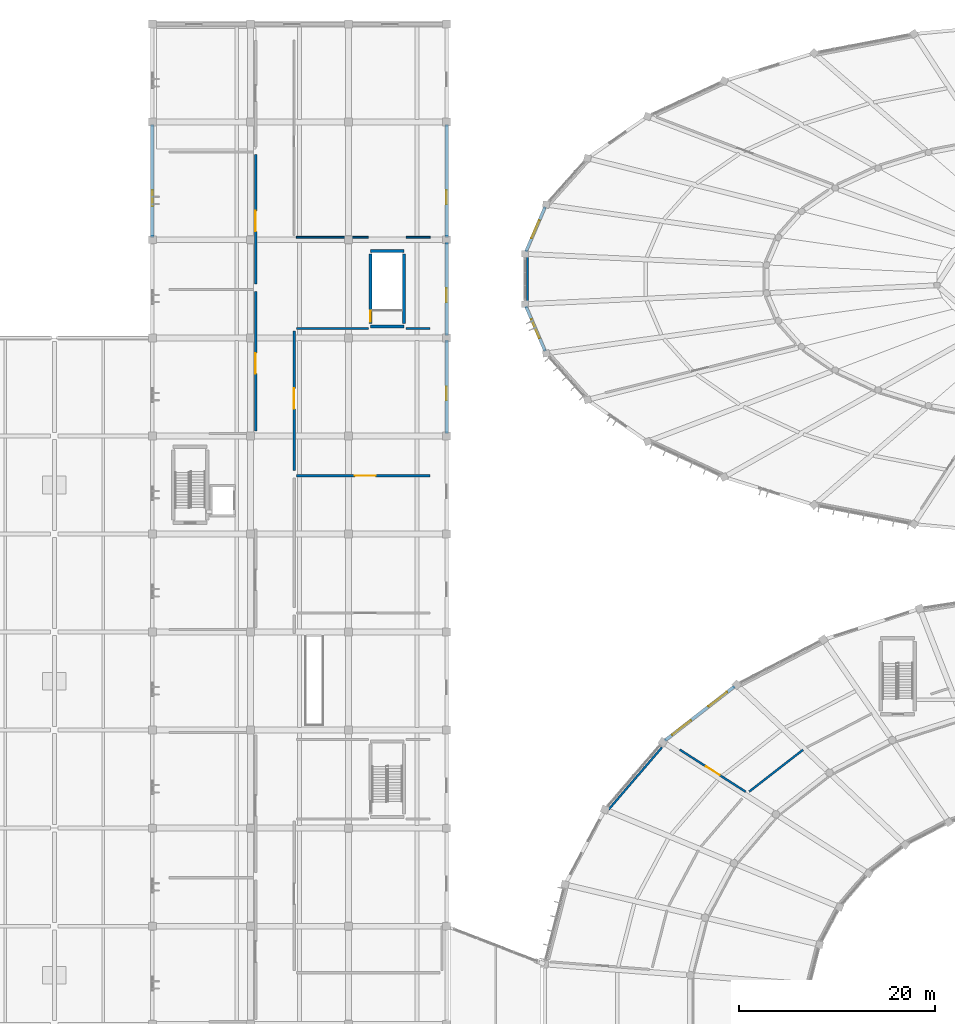
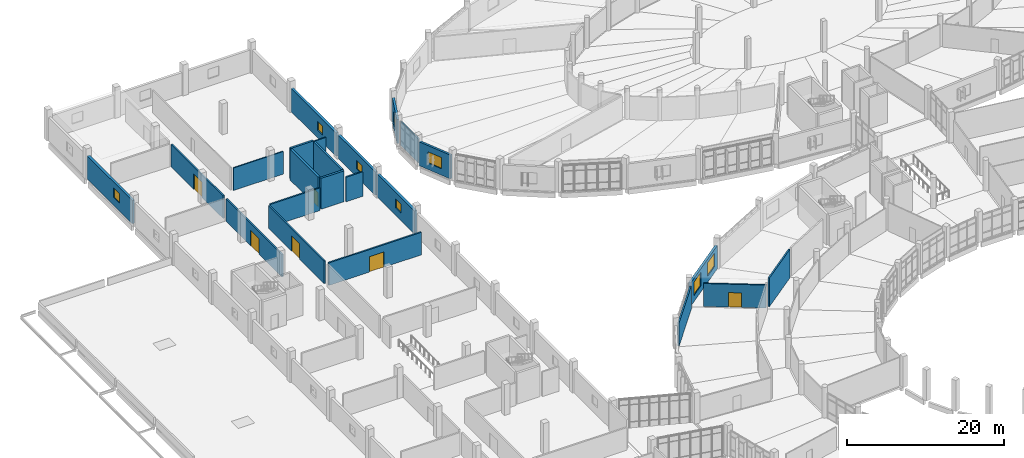
# One storey, part 119 of 179: 23 walls, 8 windows, 6 doors, 14 openings.
"""IFC4 building model written with IfcOpenShell, lengths in metres."""

from ifc_helpers import new_model, si_unit, direction, frame, frame_2d, origin, place, context, subcontext, project, spatial, rectangle, extrude, material, layer, layer_set, type_object, element, fill, save


model = new_model("IFC4")

# Units and contexts
model_context = context("Model", 3, precision=1e-05, world=origin(), true_north=direction((0.0, 1.0)))
body_context = subcontext(model_context, "Body", "Model", "MODEL_VIEW")
ifc_project = project(units=[si_unit("LENGTHUNIT", "METRE"), si_unit("AREAUNIT", "SQUARE_METRE"), si_unit("VOLUMEUNIT", "CUBIC_METRE"), si_unit("PLANEANGLEUNIT", "RADIAN"), si_unit("MASSUNIT", "GRAM", prefix="KILO")], contexts=[model_context])

# Site, building, storey
site_placement = place(None, origin())
site = spatial("IfcSite", under=ifc_project, at=site_placement, CompositionType="ELEMENT")
building_placement = place(site_placement, origin())
building = spatial("IfcBuilding", under=site, at=building_placement, Name="Corvandel Quay Wholesale Market", CompositionType="ELEMENT")
storey_placement = place(building_placement, frame((0.0, 0.0, 6.0)))
storey = spatial("IfcBuildingStorey", under=building, at=storey_placement, Name="L01", CompositionType="ELEMENT", Elevation=6.0)

# Wall
ifc_material_1 = material(Name="Gypsum-clad steel stud framing", Category="steel")
ifc_layer_1 = layer(ifc_material_1, 0.2099609375)
ifc_layer_set_1 = layer_set([ifc_layer_1], Name="Gypsum-clad steel stud framing")
wall_type_1 = type_object("IfcWallType", Name="Corridor Rated Partition PT02 210", PredefinedType="PARTITIONING", material=ifc_layer_set_1)
wall_1_placement = place(storey_placement, frame((86.354248046875, 67.9970703125, 0.0), z_axis=(0.0, 0.0, 1.0), x_axis=(-0.78951287066, -0.613734003508, 0.0)))
element("IfcWall", 1, at=wall_1_placement, inside=storey, type_object=wall_type_1, Name="Interior Wall IW-0458", PredefinedType="PARTITIONING", context=body_context, shape_type="SweptSolid", body=[
    extrude(rectangle(XDim=6.954345703125, YDim=0.2099609375, at=frame_2d((3.47705078125, 0.0))), origin(), (0.0, 0.0, 1.0), 4.4599609375),
])

# Wall, opening, door
wall_2_placement = place(storey_placement, frame((80.504638671875, 63.71240234375, 0.0), z_axis=(0.0, 0.0, 1.0), x_axis=(-0.842936957838, 0.538012346616, 0.0)))
wall_2 = element("IfcWall", 2, at=wall_2_placement, inside=storey, type_object=wall_type_1, Name="Interior Wall IW-0459", PredefinedType="PARTITIONING", context=body_context, shape_type="SweptSolid", body=[
    extrude(rectangle(XDim=7.986572265625, YDim=0.2099609375, at=frame_2d((3.9931640625, 0.0))), origin(), (0.0, 0.0, 1.0), 3.56005859375),
])
opening_1_placement = place(wall_2_placement, frame((3.14306640625, 0.0, 0.0)))
opening_1 = element("IfcOpeningElement", 3, at=opening_1_placement, cuts=wall_2, Name="Opening L01-D033", PredefinedType="OPENING", context=body_context, shape_type="SweptSolid", body=[
    extrude(rectangle(XDim=1.64990234375, YDim=2.25, at=frame_2d((0.824951171875, 1.125))), frame((0.0, 0.114990234375, 0.0), z_axis=(0.0, -1.0, 0.0), x_axis=(1.0, 0.0, 0.0)), (0.0, 0.0, 1.0), 0.22998046875),
])
ifc_material_2 = material(Name="HPL-faced hygienic timber core", Category="wood")
door_type_1 = type_object("IfcDoorType", Name="Laboratory Double Door ID08 1650x2250", OperationType="DOUBLE_DOOR_SINGLE_SWING", PredefinedType="DOOR", material=ifc_material_2)
door_1_placement = place(opening_1_placement, origin())
door_1 = element("IfcDoor", 4, at=door_1_placement, inside=storey, type_object=door_type_1, Name="Produce Quality Control Laboratory Door", OperationType="DOUBLE_DOOR_SINGLE_SWING", OverallHeight=2.25, OverallWidth=1.64990234375, PredefinedType="DOOR", context=body_context, shape_type="SweptSolid", body=[
    extrude(rectangle(XDim=1.64990234375, YDim=2.25, at=frame_2d((0.824951171875, 1.125))), frame((0.0, 0.02490234375, 0.0), z_axis=(0.0, -1.0, 0.0), x_axis=(1.0, 0.0, 0.0)), (0.0, 0.0, 1.0), 0.050048828125),
])
fill(opening_1, door_1)

# Walls
wall_3_placement = place(storey_placement, frame((66.522216796875, 61.90185546875, 0.0), z_axis=(0.0, 0.0, 1.0), x_axis=(0.651602047287, 0.758560987641, 0.0)))
element("IfcWall", 5, at=wall_3_placement, inside=storey, type_object=wall_type_1, Name="Interior Wall IW-0461", PredefinedType="PARTITIONING", context=body_context, shape_type="SweptSolid", body=[
    extrude(rectangle(XDim=8.354248046875, YDim=0.2099609375, at=frame_2d((4.17724609375, 0.0))), origin(), (0.0, 0.0, 1.0), 3.610107421875),
])
wall_4_placement = place(storey_placement, frame((58.260009765625, 113.7119140625, 0.0), z_axis=(0.0, 0.0, 1.0), x_axis=(0.0, 1.0, 0.0)))
element("IfcWall", 6, at=wall_4_placement, inside=storey, type_object=wall_type_1, Name="Interior Wall IW-0633", PredefinedType="PARTITIONING", context=body_context, shape_type="SweptSolid", body=[
    extrude(rectangle(XDim=4.576171875, YDim=0.2099609375, at=frame_2d((2.2880859375, 0.0))), origin(), (0.0, 0.0, 1.0), 3.7099609375),
])

# Wall, opening, window
ifc_material_3 = material(Name="Marine precast concrete C45/55", Category="concrete")
ifc_layer_2 = layer(ifc_material_3, 0.31005859375)
ifc_layer_set_2 = layer_set([ifc_layer_2], Name="Marine precast concrete C45/55")
wall_type_2 = type_object("IfcWallType", Name="Fish Hall Marine Precast Wall EW06 310", PredefinedType="SOLIDWALL", material=ifc_layer_set_2)
wall_5_placement = place(storey_placement, frame((60.0576171875, 123.36328125, 0.0), z_axis=(0.0, 0.0, 1.0), x_axis=(-0.393836540118, -0.91918049352, 0.0)))
wall_5 = element("IfcWall", 7, at=wall_5_placement, inside=storey, type_object=wall_type_2, Name="Exterior Wall EW-0119", PredefinedType="SOLIDWALL", context=body_context, shape_type="SweptSolid", body=[
    extrude(rectangle(XDim=4.984619140625, YDim=0.31005859375, at=frame_2d((2.4921875, 0.0))), origin(), (0.0, 0.0, 1.0), 3.7099609375),
])
opening_2_placement = place(wall_5_placement, frame((1.491943359375, 0.0, 1.0)))
opening_2 = element("IfcOpeningElement", 8, at=opening_2_placement, cuts=wall_5, Name="Opening L01-W036", PredefinedType="OPENING", context=body_context, shape_type="SweptSolid", body=[
    extrude(rectangle(XDim=2.0, YDim=1.64990234375, at=frame_2d((1.0, 0.824951171875))), frame((0.0, 0.1650390625, 0.0), z_axis=(0.0, -1.0, 0.0), x_axis=(1.0, 0.0, 0.0)), (0.0, 0.0, 1.0), 0.330078125),
])
ifc_material_4 = material(Name="Thermally broken bronze anodised aluminium and solar-control low-E double glazing", Category="aluminium")
window_type_1 = type_object("IfcWindowType", Name="Phytosanitary Lab Window WN08 2000x1650", PartitioningType="SINGLE_PANEL", PredefinedType="WINDOW", material=ifc_material_4)
window_1_placement = place(opening_2_placement, origin())
window_1 = element("IfcWindow", 9, at=window_1_placement, inside=storey, type_object=window_type_1, Name="Window L01-W036", OverallHeight=1.64990234375, OverallWidth=2.0, PartitioningType="SINGLE_PANEL", PredefinedType="WINDOW", context=body_context, shape_type="SweptSolid", body=[
    extrude(rectangle(XDim=2.0, YDim=1.64990234375, at=frame_2d((1.0, 0.824951171875))), frame((0.0, 0.030029296875, 0.0), z_axis=(0.0, -1.0, 0.0), x_axis=(1.0, 0.0, 0.0)), (0.0, 0.0, 1.0), 0.06005859375),
])
fill(opening_2, window_1)

wall_6_placement = place(storey_placement, frame((58.094482421875, 113.218505859375, 0.0), z_axis=(0.0, 0.0, 1.0), x_axis=(0.393836540118, -0.91918049352, 0.0)))
wall_6 = element("IfcWall", 10, at=wall_6_placement, inside=storey, type_object=wall_type_2, Name="Exterior Wall EW-0124", PredefinedType="SOLIDWALL", context=body_context, shape_type="SweptSolid", body=[
    extrude(rectangle(XDim=4.984619140625, YDim=0.31005859375, at=frame_2d((2.4921875, 0.0))), origin(), (0.0, 0.0, 1.0), 3.7099609375),
])
opening_3_placement = place(wall_6_placement, frame((1.44189453125, 0.0, 1.0)))
opening_3 = element("IfcOpeningElement", 11, at=opening_3_placement, cuts=wall_6, Name="Opening L01-W037", PredefinedType="OPENING", context=body_context, shape_type="SweptSolid", body=[
    extrude(rectangle(XDim=2.10009765625, YDim=1.75, at=frame_2d((1.050048828125, 0.875))), frame((0.0, 0.1650390625, 0.0), z_axis=(0.0, -1.0, 0.0), x_axis=(1.0, 0.0, 0.0)), (0.0, 0.0, 1.0), 0.330078125),
])
window_type_2 = type_object("IfcWindowType", Name="Seafood Traders Window WN09 2100x1750", PartitioningType="SINGLE_PANEL", PredefinedType="WINDOW", material=ifc_material_4)
window_2_placement = place(opening_3_placement, origin())
window_2 = element("IfcWindow", 12, at=window_2_placement, inside=storey, type_object=window_type_2, Name="Window L01-W037", OverallHeight=1.75, OverallWidth=2.10009765625, PartitioningType="SINGLE_PANEL", PredefinedType="WINDOW", context=body_context, shape_type="SweptSolid", body=[
    extrude(rectangle(XDim=2.10009765625, YDim=1.75, at=frame_2d((1.050048828125, 0.875))), frame((0.0, 0.030029296875, 0.0), z_axis=(0.0, -1.0, 0.0), x_axis=(1.0, 0.0, 0.0)), (0.0, 0.0, 1.0), 0.06005859375),
])
fill(opening_3, window_2)

ifc_material_5 = material(Name="Insulated precast concrete C45/55", Category="concrete")
ifc_layer_3 = layer(ifc_material_5, 0.360107421875)
ifc_layer_set_3 = layer_set([ifc_layer_3], Name="Insulated precast concrete C45/55")
wall_type_3 = type_object("IfcWallType", Name="Ripening Gas-Tight Envelope Wall EW04 360", PredefinedType="SOLIDWALL", material=ifc_layer_set_3)
wall_7_placement = place(storey_placement, frame((50.0, 100.239990234375, 0.0), z_axis=(0.0, 0.0, 1.0), x_axis=(0.0, 1.0, 0.0)))
wall_7 = element("IfcWall", 13, at=wall_7_placement, inside=storey, type_object=wall_type_3, Name="Exterior Wall EW-0287", PredefinedType="SOLIDWALL", context=body_context, shape_type="SweptSolid", body=[
    extrude(rectangle(XDim=9.52001953125, YDim=0.360107421875, at=frame_2d((4.760009765625, 0.0))), origin(), (0.0, 0.0, 1.0), 3.610107421875),
])
opening_4_placement = place(wall_7_placement, frame((3.39990234375, 0.0, 1.199951171875)))
opening_4 = element("IfcOpeningElement", 14, at=opening_4_placement, cuts=wall_7, Name="Opening L01-W069", PredefinedType="OPENING", context=body_context, shape_type="SweptSolid", body=[
    extrude(rectangle(XDim=1.39990234375, YDim=1.35009765625, at=frame_2d((0.699951171875, 0.675048828125))), frame((0.0, 0.18994140625, 0.0), z_axis=(0.0, -1.0, 0.0), x_axis=(1.0, 0.0, 0.0)), (0.0, 0.0, 1.0), 0.380126953125),
])
window_type_3 = type_object("IfcWindowType", Name="Ripening Control Vision Window WN15 1400x1350", PartitioningType="SINGLE_PANEL", PredefinedType="WINDOW", material=ifc_material_4)
window_3_placement = place(opening_4_placement, origin())
window_3 = element("IfcWindow", 15, at=window_3_placement, inside=storey, type_object=window_type_3, Name="Window L01-W069", OverallHeight=1.35009765625, OverallWidth=1.39990234375, PartitioningType="SINGLE_PANEL", PredefinedType="WINDOW", context=body_context, shape_type="SweptSolid", body=[
    extrude(rectangle(XDim=1.39990234375, YDim=1.35009765625, at=frame_2d((0.699951171875, 0.675048828125))), frame((0.0, 0.030029296875, 0.0), z_axis=(0.0, -1.0, 0.0), x_axis=(1.0, 0.0, 0.0)), (0.0, 0.0, 1.0), 0.06005859375),
])
fill(opening_4, window_3)

wall_8_placement = place(storey_placement, frame((50.0, 110.239990234375, 0.0), z_axis=(0.0, 0.0, 1.0), x_axis=(0.0, 1.0, 0.0)))
wall_8 = element("IfcWall", 16, at=wall_8_placement, inside=storey, type_object=wall_type_3, Name="Exterior Wall EW-0295", PredefinedType="SOLIDWALL", context=body_context, shape_type="SweptSolid", body=[
    extrude(rectangle(XDim=9.52001953125, YDim=0.360107421875, at=frame_2d((4.760009765625, 0.0))), origin(), (0.0, 0.0, 1.0), 3.610107421875),
])
opening_5_placement = place(wall_8_placement, frame((3.39990234375, 0.0, 1.199951171875)))
opening_5 = element("IfcOpeningElement", 17, at=opening_5_placement, cuts=wall_8, Name="Opening L01-W071", PredefinedType="OPENING", context=body_context, shape_type="SweptSolid", body=[
    extrude(rectangle(XDim=1.39990234375, YDim=1.35009765625, at=frame_2d((0.699951171875, 0.675048828125))), frame((0.0, 0.18994140625, 0.0), z_axis=(0.0, -1.0, 0.0), x_axis=(1.0, 0.0, 0.0)), (0.0, 0.0, 1.0), 0.380126953125),
])
window_4_placement = place(opening_5_placement, origin())
window_4 = element("IfcWindow", 18, at=window_4_placement, inside=storey, type_object=window_type_3, Name="Window L01-W071", OverallHeight=1.35009765625, OverallWidth=1.39990234375, PartitioningType="SINGLE_PANEL", PredefinedType="WINDOW", context=body_context, shape_type="SweptSolid", body=[
    extrude(rectangle(XDim=1.39990234375, YDim=1.35009765625, at=frame_2d((0.699951171875, 0.675048828125))), frame((0.0, 0.030029296875, 0.0), z_axis=(0.0, -1.0, 0.0), x_axis=(1.0, 0.0, 0.0)), (0.0, 0.0, 1.0), 0.06005859375),
])
fill(opening_5, window_4)

wall_9_placement = place(storey_placement, frame((20.0, 120.239990234375, 0.0), z_axis=(0.0, 0.0, 1.0), x_axis=(0.0, 1.0, 0.0)))
wall_9 = element("IfcWall", 19, at=wall_9_placement, inside=storey, type_object=wall_type_3, Name="Exterior Wall EW-0299", PredefinedType="SOLIDWALL", context=body_context, shape_type="SweptSolid", body=[
    extrude(rectangle(XDim=11.52001953125, YDim=0.360107421875, at=frame_2d((5.760009765625, 0.0))), origin(), (0.0, 0.0, 1.0), 3.610107421875),
])
opening_6_placement = place(wall_9_placement, frame((3.199951171875, 0.0, 1.199951171875)))
opening_6 = element("IfcOpeningElement", 20, at=opening_6_placement, cuts=wall_9, Name="Opening L01-W072", PredefinedType="OPENING", context=body_context, shape_type="SweptSolid", body=[
    extrude(rectangle(XDim=1.60009765625, YDim=1.5, at=frame_2d((0.800048828125, 0.75))), frame((0.0, 0.18994140625, 0.0), z_axis=(0.0, -1.0, 0.0), x_axis=(1.0, 0.0, 0.0)), (0.0, 0.0, 1.0), 0.380126953125),
])
window_type_4 = type_object("IfcWindowType", Name="Cold Chain Lab Window WN14 1600x1500", PartitioningType="SINGLE_PANEL", PredefinedType="WINDOW", material=ifc_material_4)
window_5_placement = place(opening_6_placement, origin())
window_5 = element("IfcWindow", 21, at=window_5_placement, inside=storey, type_object=window_type_4, Name="Window L01-W072", OverallHeight=1.5, OverallWidth=1.60009765625, PartitioningType="SINGLE_PANEL", PredefinedType="WINDOW", context=body_context, shape_type="SweptSolid", body=[
    extrude(rectangle(XDim=1.60009765625, YDim=1.5, at=frame_2d((0.800048828125, 0.75))), frame((0.0, 0.030029296875, 0.0), z_axis=(0.0, -1.0, 0.0), x_axis=(1.0, 0.0, 0.0)), (0.0, 0.0, 1.0), 0.06005859375),
])
fill(opening_6, window_5)

wall_10_placement = place(storey_placement, frame((50.0, 120.239990234375, 0.0), z_axis=(0.0, 0.0, 1.0), x_axis=(0.0, 1.0, 0.0)))
wall_10 = element("IfcWall", 22, at=wall_10_placement, inside=storey, type_object=wall_type_3, Name="Exterior Wall EW-0301", PredefinedType="SOLIDWALL", context=body_context, shape_type="SweptSolid", body=[
    extrude(rectangle(XDim=11.52001953125, YDim=0.360107421875, at=frame_2d((5.760009765625, 0.0))), origin(), (0.0, 0.0, 1.0), 3.610107421875),
])
opening_7_placement = place(wall_10_placement, frame((3.39990234375, 0.0, 1.199951171875)))
opening_7 = element("IfcOpeningElement", 23, at=opening_7_placement, cuts=wall_10, Name="Opening L01-W073", PredefinedType="OPENING", context=body_context, shape_type="SweptSolid", body=[
    extrude(rectangle(XDim=1.39990234375, YDim=1.35009765625, at=frame_2d((0.699951171875, 0.675048828125))), frame((0.0, 0.18994140625, 0.0), z_axis=(0.0, -1.0, 0.0), x_axis=(1.0, 0.0, 0.0)), (0.0, 0.0, 1.0), 0.380126953125),
])
window_6_placement = place(opening_7_placement, origin())
window_6 = element("IfcWindow", 24, at=window_6_placement, inside=storey, type_object=window_type_3, Name="Window L01-W073", OverallHeight=1.35009765625, OverallWidth=1.39990234375, PartitioningType="SINGLE_PANEL", PredefinedType="WINDOW", context=body_context, shape_type="SweptSolid", body=[
    extrude(rectangle(XDim=1.39990234375, YDim=1.35009765625, at=frame_2d((0.699951171875, 0.675048828125))), frame((0.0, 0.030029296875, 0.0), z_axis=(0.0, -1.0, 0.0), x_axis=(1.0, 0.0, 0.0)), (0.0, 0.0, 1.0), 0.06005859375),
])
fill(opening_7, window_6)

# Wall, opening, door
ifc_material_6 = material(Name="Gas-tight stainless insulated panel")
ifc_layer_4 = layer(ifc_material_6, 0.219970703125)
ifc_layer_set_4 = layer_set([ifc_layer_4], Name="Gas-tight stainless insulated panel")
wall_type_4 = type_object("IfcWallType", Name="Ripening Gas-Tight Partition PT04 220", PredefinedType="PARTITIONING", material=ifc_layer_set_4)
wall_11_placement = place(storey_placement, frame((30.5400390625, 114.719970703125, 0.0), z_axis=(0.0, 0.0, 1.0), x_axis=(0.0, -1.0, 0.0)))
wall_11 = element("IfcWall", 25, at=wall_11_placement, inside=storey, type_object=wall_type_4, Name="Interior Wall IW-0805", PredefinedType="PARTITIONING", context=body_context, shape_type="SweptSolid", body=[
    extrude(rectangle(XDim=14.239990234375, YDim=0.219970703125, at=frame_2d((7.1201171875, 0.0))), origin(), (0.0, 0.0, 1.0), 3.510009765625),
])
opening_8_placement = place(wall_11_placement, frame((6.27001953125, 0.0, 0.0)))
opening_8 = element("IfcOpeningElement", 26, at=opening_8_placement, cuts=wall_11, Name="Opening L01-D056", PredefinedType="OPENING", context=body_context, shape_type="SweptSolid", body=[
    extrude(rectangle(XDim=2.10009765625, YDim=2.39990234375, at=frame_2d((1.050048828125, 1.199951171875))), frame((0.0, 0.119873046875, 0.0), z_axis=(0.0, -1.0, 0.0), x_axis=(1.0, 0.0, 0.0)), (0.0, 0.0, 1.0), 0.239990234375),
])
ifc_material_7 = material(Name="Gas-tight stainless insulated leaf")
door_type_2 = type_object("IfcDoorType", Name="Ripening Gas-Tight Door ID07 2100x2400", OperationType="DOUBLE_DOOR_SLIDING", PredefinedType="DOOR", material=ifc_material_7)
door_2_placement = place(opening_8_placement, origin())
door_2 = element("IfcDoor", 27, at=door_2_placement, inside=storey, type_object=door_type_2, Name="Pressurized Fruit Ripening Room 05 Door", OperationType="DOUBLE_DOOR_SLIDING", OverallHeight=2.39990234375, OverallWidth=2.10009765625, PredefinedType="DOOR", context=body_context, shape_type="SweptSolid", body=[
    extrude(rectangle(XDim=2.10009765625, YDim=2.39990234375, at=frame_2d((1.050048828125, 1.199951171875))), frame((0.0, 0.02490234375, 0.0), z_axis=(0.0, -1.0, 0.0), x_axis=(1.0, 0.0, 0.0)), (0.0, 0.0, 1.0), 0.050048828125),
])
fill(opening_8, door_2)

wall_12_placement = place(storey_placement, frame((30.5400390625, 128.719970703125, 0.0), z_axis=(0.0, 0.0, 1.0), x_axis=(0.0, -1.0, 0.0)))
wall_12 = element("IfcWall", 28, at=wall_12_placement, inside=storey, type_object=wall_type_4, Name="Interior Wall IW-0808", PredefinedType="PARTITIONING", context=body_context, shape_type="SweptSolid", body=[
    extrude(rectangle(XDim=13.239990234375, YDim=0.219970703125, at=frame_2d((6.6201171875, 0.0))), origin(), (0.0, 0.0, 1.0), 3.510009765625),
])
opening_9_placement = place(wall_12_placement, frame((5.77001953125, 0.0, 0.0)))
opening_9 = element("IfcOpeningElement", 29, at=opening_9_placement, cuts=wall_12, Name="Opening L01-D057", PredefinedType="OPENING", context=body_context, shape_type="SweptSolid", body=[
    extrude(rectangle(XDim=2.10009765625, YDim=2.39990234375, at=frame_2d((1.050048828125, 1.199951171875))), frame((0.0, 0.119873046875, 0.0), z_axis=(0.0, -1.0, 0.0), x_axis=(1.0, 0.0, 0.0)), (0.0, 0.0, 1.0), 0.239990234375),
])
door_3_placement = place(opening_9_placement, origin())
door_3 = element("IfcDoor", 30, at=door_3_placement, inside=storey, type_object=door_type_2, Name="Pressurized Fruit Ripening Room 06 Door", OperationType="DOUBLE_DOOR_SLIDING", OverallHeight=2.39990234375, OverallWidth=2.10009765625, PredefinedType="DOOR", context=body_context, shape_type="SweptSolid", body=[
    extrude(rectangle(XDim=2.10009765625, YDim=2.39990234375, at=frame_2d((1.050048828125, 1.199951171875))), frame((0.0, 0.02490234375, 0.0), z_axis=(0.0, -1.0, 0.0), x_axis=(1.0, 0.0, 0.0)), (0.0, 0.0, 1.0), 0.050048828125),
])
fill(opening_9, door_3)

wall_13_placement = place(storey_placement, frame((34.679931640625, 95.93994140625, 0.0), z_axis=(0.0, 0.0, 1.0), x_axis=(1.0, 0.0, 0.0)))
wall_13 = element("IfcWall", 31, at=wall_13_placement, inside=storey, type_object=wall_type_4, Name="Interior Wall IW-0825", PredefinedType="PARTITIONING", context=body_context, shape_type="SweptSolid", body=[
    extrude(rectangle(XDim=13.650146484375, YDim=0.219970703125, at=frame_2d((6.8251953125, 0.0))), origin(), (0.0, 0.0, 1.0), 3.510009765625),
])
opening_10_placement = place(wall_13_placement, frame((5.97509765625, 0.0, 0.0)))
opening_10 = element("IfcOpeningElement", 32, at=opening_10_placement, cuts=wall_13, Name="Opening L01-D062", PredefinedType="OPENING", context=body_context, shape_type="SweptSolid", body=[
    extrude(rectangle(XDim=2.10009765625, YDim=2.39990234375, at=frame_2d((1.050048828125, 1.199951171875))), frame((0.0, 0.119873046875, 0.0), z_axis=(0.0, -1.0, 0.0), x_axis=(1.0, 0.0, 0.0)), (0.0, 0.0, 1.0), 0.239990234375),
])
door_4_placement = place(opening_10_placement, origin())
door_4 = element("IfcDoor", 33, at=door_4_placement, inside=storey, type_object=door_type_2, Name="Pressurized Fruit Ripening Room 11 Door", OperationType="DOUBLE_DOOR_SLIDING", OverallHeight=2.39990234375, OverallWidth=2.10009765625, PredefinedType="DOOR", context=body_context, shape_type="SweptSolid", body=[
    extrude(rectangle(XDim=2.10009765625, YDim=2.39990234375, at=frame_2d((1.050048828125, 1.199951171875))), frame((0.0, 0.02490234375, 0.0), z_axis=(0.0, -1.0, 0.0), x_axis=(1.0, 0.0, 0.0)), (0.0, 0.0, 1.0), 0.050048828125),
])
fill(opening_10, door_4)

wall_14_placement = place(storey_placement, frame((34.4599609375, 96.47998046875, 0.0), z_axis=(0.0, 0.0, 1.0), x_axis=(0.0, 1.0, 0.0)))
wall_14 = element("IfcWall", 34, at=wall_14_placement, inside=storey, type_object=wall_type_4, Name="Interior Wall IW-0826", PredefinedType="PARTITIONING", context=body_context, shape_type="SweptSolid", body=[
    extrude(rectangle(XDim=14.239990234375, YDim=0.219970703125, at=frame_2d((7.1201171875, 0.0))), origin(), (0.0, 0.0, 1.0), 3.510009765625),
])
opening_11_placement = place(wall_14_placement, frame((6.27001953125, 0.0, 0.0)))
opening_11 = element("IfcOpeningElement", 35, at=opening_11_placement, cuts=wall_14, Name="Opening L01-D063", PredefinedType="OPENING", context=body_context, shape_type="SweptSolid", body=[
    extrude(rectangle(XDim=2.10009765625, YDim=2.39990234375, at=frame_2d((1.050048828125, 1.199951171875))), frame((0.0, 0.119873046875, 0.0), z_axis=(0.0, -1.0, 0.0), x_axis=(1.0, 0.0, 0.0)), (0.0, 0.0, 1.0), 0.239990234375),
])
door_5_placement = place(opening_11_placement, origin())
door_5 = element("IfcDoor", 36, at=door_5_placement, inside=storey, type_object=door_type_2, Name="Pressurized Fruit Ripening Room 12 Door", OperationType="DOUBLE_DOOR_SLIDING", OverallHeight=2.39990234375, OverallWidth=2.10009765625, PredefinedType="DOOR", context=body_context, shape_type="SweptSolid", body=[
    extrude(rectangle(XDim=2.10009765625, YDim=2.39990234375, at=frame_2d((1.050048828125, 1.199951171875))), frame((0.0, 0.02490234375, 0.0), z_axis=(0.0, -1.0, 0.0), x_axis=(1.0, 0.0, 0.0)), (0.0, 0.0, 1.0), 0.050048828125),
])
fill(opening_11, door_5)

# Walls
wall_15_placement = place(storey_placement, frame((34.679931640625, 110.93994140625, 0.0), z_axis=(0.0, 0.0, 1.0), x_axis=(1.0, 0.0, 0.0)))
element("IfcWall", 37, at=wall_15_placement, inside=storey, type_object=wall_type_4, Name="Interior Wall IW-0827", PredefinedType="PARTITIONING", context=body_context, shape_type="SweptSolid", body=[
    extrude(rectangle(XDim=7.35009765625, YDim=0.219970703125, at=frame_2d((3.675048828125, 0.0))), origin(), (0.0, 0.0, 1.0), 3.510009765625),
])
wall_16_placement = place(storey_placement, frame((45.8701171875, 110.93994140625, 0.0), z_axis=(0.0, 0.0, 1.0), x_axis=(1.0, 0.0, 0.0)))
element("IfcWall", 38, at=wall_16_placement, inside=storey, type_object=wall_type_4, Name="Interior Wall IW-0828", PredefinedType="PARTITIONING", context=body_context, shape_type="SweptSolid", body=[
    extrude(rectangle(XDim=2.4599609375, YDim=0.219970703125, at=frame_2d((1.22998046875, 0.0))), origin(), (0.0, 0.0, 1.0), 3.81005859375),
])

# Wall, openings, windows
ifc_material_8 = material(Name="Buff-pigmented precast concrete C45/55", Category="concrete")
ifc_layer_5 = layer(ifc_material_8, 0.320068359375)
ifc_layer_set_5 = layer_set([ifc_layer_5], Name="Buff-pigmented precast concrete C45/55")
wall_type_5 = type_object("IfcWallType", Name="Sandstone Buff Precast Wall EW02 320", PredefinedType="SOLIDWALL", material=ifc_layer_set_5)
wall_17_placement = place(storey_placement, frame((79.364013671875, 74.458251953125, 0.0), z_axis=(0.0, 0.0, 1.0), x_axis=(-0.789327357341, -0.613972575082, 0.0)))
wall_17 = element("IfcWall", 39, at=wall_17_placement, inside=storey, type_object=wall_type_5, Name="Exterior Wall EW-0031", PredefinedType="SOLIDWALL", context=body_context, shape_type="SweptSolid", body=[
    extrude(rectangle(XDim=8.98974609375, YDim=0.320068359375, at=frame_2d((4.494873046875, 0.0))), origin(), (0.0, 0.0, 1.0), 3.610107421875),
])
opening_12_placement = place(wall_17_placement, frame((0.949951171875, 0.0, 0.949951171875)))
opening_12 = element("IfcOpeningElement", 40, at=opening_12_placement, cuts=wall_17, Name="Opening L01-W009", PredefinedType="OPENING", context=body_context, shape_type="SweptSolid", body=[
    extrude(rectangle(XDim=2.39990234375, YDim=2.10009765625, at=frame_2d((1.199951171875, 1.050048828125))), frame((0.0, 0.169921875, 0.0), z_axis=(0.0, -1.0, 0.0), x_axis=(1.0, 0.0, 0.0)), (0.0, 0.0, 1.0), 0.340087890625),
])
opening_13_placement = place(wall_17_placement, frame((5.639892578125, 0.0, 0.949951171875)))
opening_13 = element("IfcOpeningElement", 41, at=opening_13_placement, cuts=wall_17, Name="Opening L01-W010", PredefinedType="OPENING", context=body_context, shape_type="SweptSolid", body=[
    extrude(rectangle(XDim=2.39990234375, YDim=2.10009765625, at=frame_2d((1.199951171875, 1.050048828125))), frame((0.0, 0.169921875, 0.0), z_axis=(0.0, -1.0, 0.0), x_axis=(1.0, 0.0, 0.0)), (0.0, 0.0, 1.0), 0.340087890625),
])
window_type_5 = type_object("IfcWindowType", Name="Produce Gallery Punched Window WN02 2400x2100", PartitioningType="SINGLE_PANEL", PredefinedType="WINDOW", material=ifc_material_4)
window_7_placement = place(opening_12_placement, origin())
window_7 = element("IfcWindow", 42, at=window_7_placement, inside=storey, type_object=window_type_5, Name="Window L01-W009", OverallHeight=2.10009765625, OverallWidth=2.39990234375, PartitioningType="SINGLE_PANEL", PredefinedType="WINDOW", context=body_context, shape_type="SweptSolid", body=[
    extrude(rectangle(XDim=2.39990234375, YDim=2.10009765625, at=frame_2d((1.199951171875, 1.050048828125))), frame((0.0, 0.030029296875, 0.0), z_axis=(0.0, -1.0, 0.0), x_axis=(1.0, 0.0, 0.0)), (0.0, 0.0, 1.0), 0.06005859375),
])
fill(opening_12, window_7)
window_8_placement = place(opening_13_placement, origin())
window_8 = element("IfcWindow", 43, at=window_8_placement, inside=storey, type_object=window_type_5, Name="Window L01-W010", OverallHeight=2.10009765625, OverallWidth=2.39990234375, PartitioningType="SINGLE_PANEL", PredefinedType="WINDOW", context=body_context, shape_type="SweptSolid", body=[
    extrude(rectangle(XDim=2.39990234375, YDim=2.10009765625, at=frame_2d((1.199951171875, 1.050048828125))), frame((0.0, 0.030029296875, 0.0), z_axis=(0.0, -1.0, 0.0), x_axis=(1.0, 0.0, 0.0)), (0.0, 0.0, 1.0), 0.06005859375),
])
fill(opening_13, window_8)

# Walls
ifc_material_9 = material(Name="Moisture-resistant tile-backer partition")
ifc_layer_6 = layer(ifc_material_9, 0.159912109375)
ifc_layer_set_6 = layer_set([ifc_layer_6], Name="Moisture-resistant tile-backer partition")
wall_type_6 = type_object("IfcWallType", Name="Sanitary Tile Partition PT06 160", PredefinedType="PARTITIONING", material=ifc_layer_set_6)
wall_18_placement = place(storey_placement, frame((48.330078125, 120.260009765625, 0.0), z_axis=(0.0, 0.0, 1.0), x_axis=(-1.0, 0.0, 0.0)))
element("IfcWall", 44, at=wall_18_placement, inside=storey, type_object=wall_type_6, Name="Interior Wall IW-0831", PredefinedType="PARTITIONING", context=body_context, shape_type="SweptSolid", body=[
    extrude(rectangle(XDim=2.4599609375, YDim=0.159912109375, at=frame_2d((1.22998046875, 0.0))), origin(), (0.0, 0.0, 1.0), 3.510009765625),
])
wall_19_placement = place(storey_placement, frame((42.030029296875, 120.260009765625, 0.0), z_axis=(0.0, 0.0, 1.0), x_axis=(-1.0, 0.0, 0.0)))
element("IfcWall", 45, at=wall_19_placement, inside=storey, type_object=wall_type_6, Name="Interior Wall IW-0832", PredefinedType="PARTITIONING", context=body_context, shape_type="SweptSolid", body=[
    extrude(rectangle(XDim=7.35009765625, YDim=0.159912109375, at=frame_2d((3.675048828125, 0.0))), origin(), (0.0, 0.0, 1.0), 3.510009765625),
])
ifc_material_10 = material(Name="Concrete C40/50", Category="concrete")
ifc_layer_7 = layer(ifc_material_10, 0.300048828125)
ifc_layer_set_7 = layer_set([ifc_layer_7], Name="Concrete C40/50")
wall_type_7 = type_object("IfcWallType", Name="Stair Shaft Shear Wall SW02 300", PredefinedType="SHEAR", material=ifc_layer_set_7)
for number, where, z_axis, x_axis, name in (
    (46, (42.25, 111.14990234375, 0.0), (0.0, 0.0, 1.0), (1.0, 0.0, 0.0), "Shear Wall IW-0157"),
    (47, (42.25, 118.85009765625, 0.0), (0.0, 0.0, 1.0), (1.0, 0.0, 0.0), "Shear Wall IW-0158"),
):
    element("IfcWall", number, at=place(storey_placement, frame(where, z_axis=z_axis, x_axis=x_axis)), inside=storey, type_object=wall_type_7, Name=name, PredefinedType="SHEAR", context=body_context, shape_type="SweptSolid", body=[
        extrude(rectangle(XDim=3.39990234375, YDim=0.300048828125, at=frame_2d((1.699951171875, 0.0))), origin(), (0.0, 0.0, 1.0), 4.800048828125),
    ])

# Wall, opening, door
wall_20_placement = place(storey_placement, frame((42.25, 111.43994140625, 0.0), z_axis=(0.0, 0.0, 1.0), x_axis=(0.0, 1.0, 0.0)))
wall_20 = element("IfcWall", 48, at=wall_20_placement, inside=storey, type_object=wall_type_7, Name="Shear Wall IW-0159", PredefinedType="SHEAR", context=body_context, shape_type="SweptSolid", body=[
    extrude(rectangle(XDim=7.1201171875, YDim=0.300048828125, at=frame_2d((3.56005859375, 0.0))), origin(), (0.0, 0.0, 1.0), 4.800048828125),
])
opening_14_placement = place(wall_20_placement, frame((0.219970703125, 0.0, 0.0)))
opening_14 = element("IfcOpeningElement", 49, at=opening_14_placement, cuts=wall_20, Name="Opening L01-D016", PredefinedType="OPENING", context=body_context, shape_type="SweptSolid", body=[
    extrude(rectangle(XDim=1.10009765625, YDim=2.199951171875, at=frame_2d((0.550048828125, 1.10009765625))), frame((0.0, 0.159912109375, 0.0), z_axis=(0.0, -1.0, 0.0), x_axis=(1.0, 0.0, 0.0)), (0.0, 0.0, 1.0), 0.320068359375),
])
ifc_material_11 = material(Name="Galvanised fire-rated hollow steel", Category="steel")
door_type_3 = type_object("IfcDoorType", Name="Exit Stair Fire Door ID02 1100x2200R", OperationType="SINGLE_SWING_RIGHT", PredefinedType="DOOR", material=ifc_material_11)
door_6_placement = place(opening_14_placement, origin())
door_6 = element("IfcDoor", 50, at=door_6_placement, inside=storey, type_object=door_type_3, Name="Exit Stair Door SH15-L01", OperationType="SINGLE_SWING_RIGHT", OverallHeight=2.199951171875, OverallWidth=1.10009765625, PredefinedType="DOOR", context=body_context, shape_type="SweptSolid", body=[
    extrude(rectangle(XDim=1.10009765625, YDim=2.199951171875, at=frame_2d((0.550048828125, 1.10009765625))), frame((0.0, 0.02490234375, 0.0), z_axis=(0.0, -1.0, 0.0), x_axis=(1.0, 0.0, 0.0)), (0.0, 0.0, 1.0), 0.050048828125),
])
fill(opening_14, door_6)

# Wall
wall_21_placement = place(storey_placement, frame((45.64990234375, 111.43994140625, 0.0), z_axis=(0.0, 0.0, 1.0), x_axis=(0.0, 1.0, 0.0)))
element("IfcWall", 51, at=wall_21_placement, inside=storey, type_object=wall_type_7, Name="Shear Wall IW-0160", PredefinedType="SHEAR", context=body_context, shape_type="SweptSolid", body=[
    extrude(rectangle(XDim=7.1201171875, YDim=0.300048828125, at=frame_2d((3.56005859375, 0.0))), origin(), (0.0, 0.0, 1.0), 4.800048828125),
])

save(model, "model.ifc")
